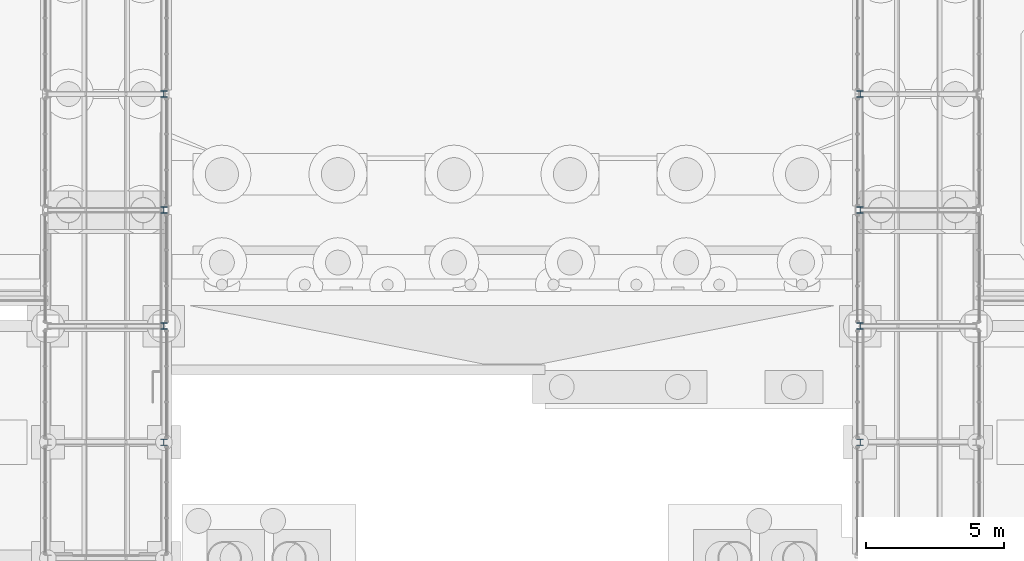
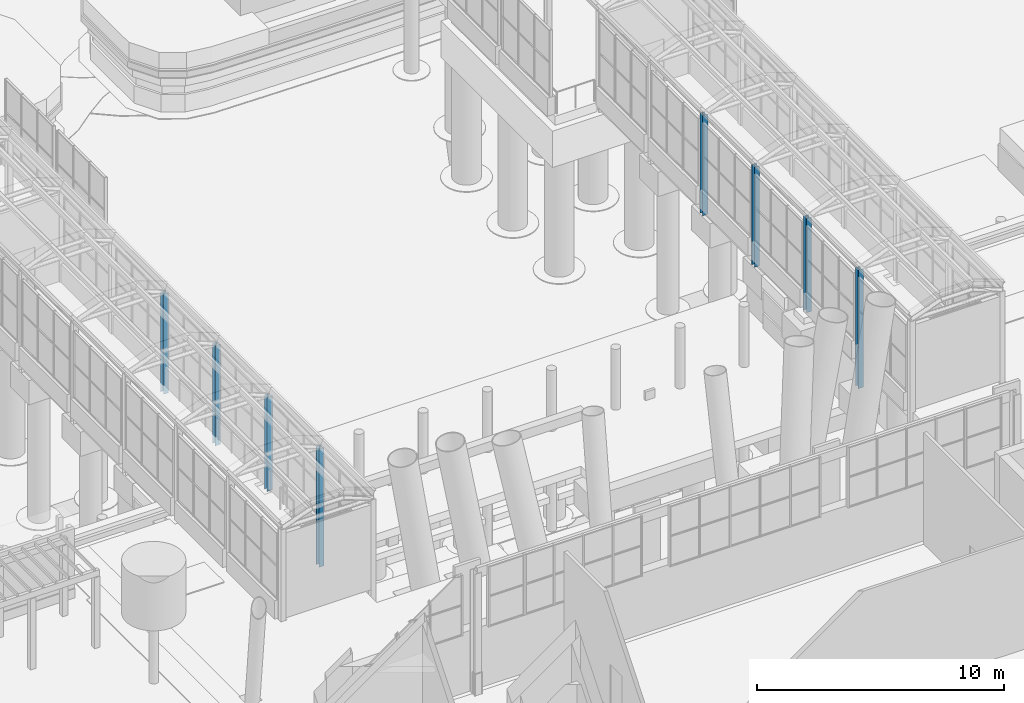
# One storey, part 34 of 222: 8 columns.
"""IFC4 building model written with IfcOpenShell, lengths in metres."""

import ifcopenshell
import ifcopenshell.guid

model = None  # the IFC model being written
_history = None  # IfcOwnerHistory: only IFC2X3 demands one
_inside = {}  # id of a spatial element -> (the spatial element, [elements in it])
_under = {}  # id of a project, library or spatial element -> (it, [spatial elements below it])
_declared = {}  # id of a project -> (the project, [libraries it declares])
_typed = {}  # id of a type object -> (the type object, [elements of that type])
_made_of = {}  # id of a material, layer set ... -> (it, [elements and type objects made of it])


def new_model(schema):
    """Start an empty IFC model of exactly this schema.

    Asked for "IFC4X3", IfcOpenShell would pick the latest addendum, in which some entities
    have other attributes; the version numbers below select the first issue.
    IFC2X3 requires an IfcOwnerHistory on every rooted entity: one is made here for all.
    """
    global model, _history
    if schema == "IFC4X3":
        model = ifcopenshell.file(schema_version=(4, 3, 0, 0))
    else:
        model = ifcopenshell.file(schema=schema)
    _inside.clear()
    _under.clear()
    _declared.clear()
    _typed.clear()
    _made_of.clear()
    _history = None
    if model.schema == "IFC2X3":
        org = make("IfcOrganization", Name="unknown")
        user = make(
            "IfcPersonAndOrganization",
            ThePerson=make("IfcPerson", FamilyName="unknown"),
            TheOrganization=org,
        )
        app = make(
            "IfcApplication",
            ApplicationDeveloper=org,
            Version="unknown",
            ApplicationFullName="unknown",
            ApplicationIdentifier="unknown",
        )
        _history = make(
            "IfcOwnerHistory",
            OwningUser=user,
            OwningApplication=app,
            ChangeAction="ADDED",
            CreationDate=0,
        )
    return model


def make(cls, **values):
    """One entity of the class cls with the attributes given. An attribute that is None is left unset."""
    return model.create_entity(
        cls, **{name: value for name, value in values.items() if value is not None}
    )


def rooted(cls, **values):
    """An entity with a GlobalId (a new one), such as an element, a storey or a relation."""
    return make(cls, GlobalId=ifcopenshell.guid.new(), OwnerHistory=_history, **values)


def si_unit(unit_type, name, prefix=None):
    """IfcSIUnit, for example si_unit("LENGTHUNIT", "METRE", prefix="MILLI")."""
    return make("IfcSIUnit", UnitType=unit_type, Prefix=prefix, Name=name)


def assignment(units):
    """IfcUnitAssignment: the units of a project."""
    return None if units is None else make("IfcUnitAssignment", Units=units)


def point(xyz):
    """IfcCartesianPoint."""
    return None if xyz is None else make("IfcCartesianPoint", Coordinates=xyz)


def direction(xyz):
    """IfcDirection."""
    return None if xyz is None else make("IfcDirection", DirectionRatios=xyz)


def frame(location, z_axis=None, x_axis=None):
    """IfcAxis2Placement3D, a coordinate frame: its origin and axes. An axis left out is left unset."""
    return make(
        "IfcAxis2Placement3D",
        Location=point(location),
        Axis=direction(z_axis),
        RefDirection=direction(x_axis),
    )


def frame_2d(location, x_axis=None):
    """IfcAxis2Placement2D, a coordinate frame in the plane: its origin and x axis."""
    return make(
        "IfcAxis2Placement2D", Location=point(location), RefDirection=direction(x_axis)
    )


def origin():
    """The frame at (0, 0, 0) with its axes left unset."""
    return frame((0.0, 0.0, 0.0))


def origin_2d():
    """The frame at (0, 0) in the plane with its x axis left unset."""
    return frame_2d((0.0, 0.0))


def place(relative_to, where):
    """IfcLocalPlacement: puts the frame where relative to a parent placement (None: the world)."""
    return make(
        "IfcLocalPlacement", PlacementRelTo=relative_to, RelativePlacement=where
    )


def context(
    kind, dimensions, precision=None, world=None, true_north=None, identifier=None
):
    """IfcGeometricRepresentationContext, for example the 3D "Model" context."""
    return make(
        "IfcGeometricRepresentationContext",
        ContextIdentifier=identifier,
        ContextType=kind,
        CoordinateSpaceDimension=dimensions,
        Precision=precision,
        WorldCoordinateSystem=world,
        TrueNorth=true_north,
    )


def subcontext(parent, identifier, kind, view, scale=None):
    """IfcGeometricRepresentationSubContext, for example "Body" below "Model"."""
    return make(
        "IfcGeometricRepresentationSubContext",
        ContextIdentifier=identifier,
        ContextType=kind,
        ParentContext=parent,
        TargetScale=scale,
        TargetView=view,
    )


def project(units=None, contexts=None):
    """IfcProject with its units and contexts."""
    return rooted(
        "IfcProject",
        Name="project",
        RepresentationContexts=contexts,
        UnitsInContext=assignment(units),
    )


def spatial(cls, under=None, at=None, **own):
    """A site, building, storey or space (cls), placed at a placement, below another one or the project."""
    s = rooted(cls, ObjectPlacement=at, **own)
    if under is not None:
        _under.setdefault(under.id(), (under, []))[1].append(s)
    return s


def profile(cls, at=None, kind="AREA", **sizes):
    """A parametric profile (cls). Its sizes go by their IFC names, for example OverallWidth=200.0."""
    return make(cls, ProfileType=kind, Position=at, **sizes)


def i_section(**sizes):
    """IfcIShapeProfileDef."""
    return profile("IfcIShapeProfileDef", **sizes)


def extrude(swept, where, along, depth):
    """IfcExtrudedAreaSolid: the profile swept, set in the frame where, extruded along a direction by depth."""
    return make(
        "IfcExtrudedAreaSolid",
        SweptArea=swept,
        Position=where,
        ExtrudedDirection=direction(along),
        Depth=depth,
    )


def shape(context_of_items, identifier, shape_type, items):
    """IfcShapeRepresentation: the items that make up one representation, for example the "Body"."""
    return make(
        "IfcShapeRepresentation",
        ContextOfItems=context_of_items,
        RepresentationIdentifier=identifier,
        RepresentationType=shape_type,
        Items=items,
    )


def material(Name=None, Category=None):
    """IfcMaterial."""
    return make("IfcMaterial", Name=Name, Category=Category)


def material_profile(
    of_material, cross_section, Name=None, Category=None, Priority=None
):
    """IfcMaterialProfile: a cross section and its material."""
    return make(
        "IfcMaterialProfile",
        Name=Name,
        Material=of_material,
        Profile=cross_section,
        Priority=Priority,
        Category=Category,
    )


def profile_set(profiles, Name=None, composite=None):
    """IfcMaterialProfileSet."""
    return make(
        "IfcMaterialProfileSet",
        Name=Name,
        MaterialProfiles=profiles,
        CompositeProfile=composite,
    )


def made_of(thing, what):
    """Note that an element or type object is made of a material, layer set ...; save() writes the relation."""
    if what is not None:
        _made_of.setdefault(what.id(), (what, []))[1].append(thing)
    return thing


def type_object(cls, material=None, **own):
    """A type object (cls), such as IfcWallType, which elements share."""
    return made_of(rooted(cls, **own), material)


def element(
    cls,
    number,
    at=None,
    inside=None,
    cuts=None,
    type_object=None,
    material=None,
    context=None,
    identifier="Body",
    shape_type=None,
    held_by="IfcProductDefinitionShape",
    body=None,
    shapes=None,
    **own,
):
    """One element of the class cls, such as IfcWall. Its Tag is "e" and its number.

    at: its placement. inside: the storey or other place that contains it. cuts: it is an
    opening in that element (IfcRelVoidsElement). A single representation is given by context,
    identifier, shape_type and body (its items); several are given by shapes. held_by: the class
    of the entity that holds the representations. save() writes the other relations.
    """
    e = rooted(cls, Tag="e%d" % number, ObjectPlacement=at, **own)
    if body is not None:
        shapes = [shape(context, identifier, shape_type, body)]
    if shapes is not None:
        e.Representation = make(held_by, Representations=shapes)
    if inside is not None:
        _inside.setdefault(inside.id(), (inside, []))[1].append(e)
    if cuts is not None:
        rooted(
            "IfcRelVoidsElement", RelatingBuildingElement=cuts, RelatedOpeningElement=e
        )
    if type_object is not None:
        _typed.setdefault(type_object.id(), (type_object, []))[1].append(e)
    return made_of(e, material)


def aggregate(whole, parts):
    """IfcRelAggregates: a whole, such as a stair, and the parts it consists of."""
    return rooted("IfcRelAggregates", RelatingObject=whole, RelatedObjects=parts)


def save(model, path):
    """Write the relations noted so far, then the file.

    IfcRelAggregates (storeys below a building ...), IfcRelContainedInSpatialStructure (elements
    in a storey), IfcRelDefinesByType, IfcRelAssociatesMaterial and IfcRelDeclares: one each for
    every whole, place, type object, material and project.
    """
    for whole, parts in _under.values():
        aggregate(whole, parts)
    for where, things in _inside.values():
        rooted(
            "IfcRelContainedInSpatialStructure",
            RelatedElements=things,
            RelatingStructure=where,
        )
    for kind, things in _typed.values():
        rooted("IfcRelDefinesByType", RelatedObjects=things, RelatingType=kind)
    for what, things in _made_of.values():
        rooted("IfcRelAssociatesMaterial", RelatedObjects=things, RelatingMaterial=what)
    for by, libraries in _declared.values():
        rooted("IfcRelDeclares", RelatingContext=by, RelatedDefinitions=libraries)
    model.write(path)


model = new_model("IFC4")

# Units and contexts
model_context = context("Model", 3, precision=1e-05, world=origin(), true_north=direction((0.0, 1.0)))
body_context = subcontext(model_context, "Body", "Model", "MODEL_VIEW")
ifc_project = project(units=[si_unit("LENGTHUNIT", "METRE"), si_unit("AREAUNIT", "SQUARE_METRE"), si_unit("VOLUMEUNIT", "CUBIC_METRE"), si_unit("PLANEANGLEUNIT", "RADIAN"), si_unit("MASSUNIT", "GRAM", prefix="KILO")], contexts=[model_context])

# Site, building, storey
site_placement = place(None, origin())
site = spatial("IfcSite", under=ifc_project, at=site_placement, CompositionType="ELEMENT")
building_placement = place(site_placement, origin())
building = spatial("IfcBuilding", under=site, at=building_placement, Name="Sava Quay Ferry Terminal", CompositionType="ELEMENT")
storey_placement = place(building_placement, origin())
storey = spatial("IfcBuildingStorey", under=building, at=storey_placement, Name="L00", CompositionType="ELEMENT", Elevation=0.0)

# Columns
ifc_material = material(Name="Steel S355", Category="steel")
ifc_material_profile = material_profile(ifc_material, i_section(OverallWidth=0.239990234375, OverallDepth=0.22998046875, WebThickness=0.007568359375, FlangeThickness=0.011962890625, at=origin_2d()), Name="HE 240 A")
ifc_profile_set = profile_set([ifc_material_profile], Name="Steel S355")
column_type = type_object("IfcColumnType", Name="Column HE 240 A", PredefinedType="COLUMN", material=ifc_profile_set)
column_1_placement = place(storey_placement, frame((50.39990234375, 113.39990234375, -1.35009765625), z_axis=(0.0, 0.0, 1.0), x_axis=(1.0, 0.0, 0.0)))
element("IfcColumn", 1, at=column_1_placement, inside=storey, type_object=column_type, Name="Gallery post B1 113.4", PredefinedType="COLUMN", context=body_context, shape_type="SweptSolid", body=[
    extrude(i_section(OverallWidth=0.239990234375, OverallDepth=0.22998046875, WebThickness=0.007568359375, FlangeThickness=0.011962890625, at=origin_2d()), origin(), (0.0, 0.0, 1.0), 5.85009765625),
])
column_2_placement = place(storey_placement, frame((50.39990234375, 117.60009765625, -0.14990234375), z_axis=(0.0, 0.0, 1.0), x_axis=(1.0, 0.0, 0.0)))
element("IfcColumn", 2, at=column_2_placement, inside=storey, type_object=column_type, Name="Gallery post B1 117.6", PredefinedType="COLUMN", context=body_context, shape_type="SweptSolid", body=[
    extrude(i_section(OverallWidth=0.239990234375, OverallDepth=0.22998046875, WebThickness=0.007568359375, FlangeThickness=0.011962890625, at=origin_2d()), origin(), (0.0, 0.0, 1.0), 4.64990234375),
])
for number, where, z_axis, x_axis, name in (
    (3, (50.39990234375, 121.800048828125, -0.449951171875), (0.0, 0.0, 1.0), (1.0, 0.0, 0.0), "Gallery post B1 121.8"),
    (4, (50.39990234375, 126.0, -0.449951171875), (0.0, 0.0, 1.0), (1.0, 0.0, 0.0), "Gallery post B1 126"),
):
    element("IfcColumn", number, at=place(storey_placement, frame(where, z_axis=z_axis, x_axis=x_axis)), inside=storey, type_object=column_type, Name=name, PredefinedType="COLUMN", context=body_context, shape_type="SweptSolid", body=[
        extrude(i_section(OverallWidth=0.239990234375, OverallDepth=0.22998046875, WebThickness=0.007568359375, FlangeThickness=0.011962890625, at=origin_2d()), origin(), (0.0, 0.0, 1.0), 4.949951171875),
    ])
column_3_placement = place(storey_placement, frame((75.60009765625, 113.39990234375, -1.35009765625), z_axis=(0.0, 0.0, 1.0), x_axis=(1.0, 0.0, 0.0)))
element("IfcColumn", 5, at=column_3_placement, inside=storey, type_object=column_type, Name="Gallery post B2 113.4", PredefinedType="COLUMN", context=body_context, shape_type="SweptSolid", body=[
    extrude(i_section(OverallWidth=0.239990234375, OverallDepth=0.22998046875, WebThickness=0.007568359375, FlangeThickness=0.011962890625, at=origin_2d()), origin(), (0.0, 0.0, 1.0), 5.85009765625),
])
column_4_placement = place(storey_placement, frame((75.60009765625, 117.60009765625, -0.14990234375), z_axis=(0.0, 0.0, 1.0), x_axis=(1.0, 0.0, 0.0)))
element("IfcColumn", 6, at=column_4_placement, inside=storey, type_object=column_type, Name="Gallery post B2 117.6", PredefinedType="COLUMN", context=body_context, shape_type="SweptSolid", body=[
    extrude(i_section(OverallWidth=0.239990234375, OverallDepth=0.22998046875, WebThickness=0.007568359375, FlangeThickness=0.011962890625, at=origin_2d()), origin(), (0.0, 0.0, 1.0), 4.64990234375),
])
for number, where, z_axis, x_axis, name in (
    (7, (75.60009765625, 121.800048828125, -0.449951171875), (0.0, 0.0, 1.0), (1.0, 0.0, 0.0), "Gallery post B2 121.8"),
    (8, (75.60009765625, 126.0, -0.449951171875), (0.0, 0.0, 1.0), (1.0, 0.0, 0.0), "Gallery post B2 126"),
):
    element("IfcColumn", number, at=place(storey_placement, frame(where, z_axis=z_axis, x_axis=x_axis)), inside=storey, type_object=column_type, Name=name, PredefinedType="COLUMN", context=body_context, shape_type="SweptSolid", body=[
        extrude(i_section(OverallWidth=0.239990234375, OverallDepth=0.22998046875, WebThickness=0.007568359375, FlangeThickness=0.011962890625, at=origin_2d()), origin(), (0.0, 0.0, 1.0), 4.949951171875),
    ])

save(model, "model.ifc")
